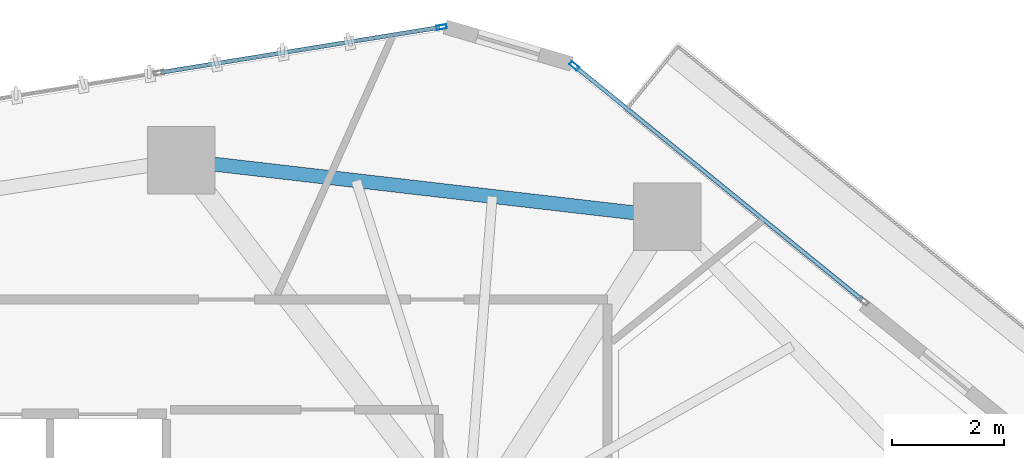
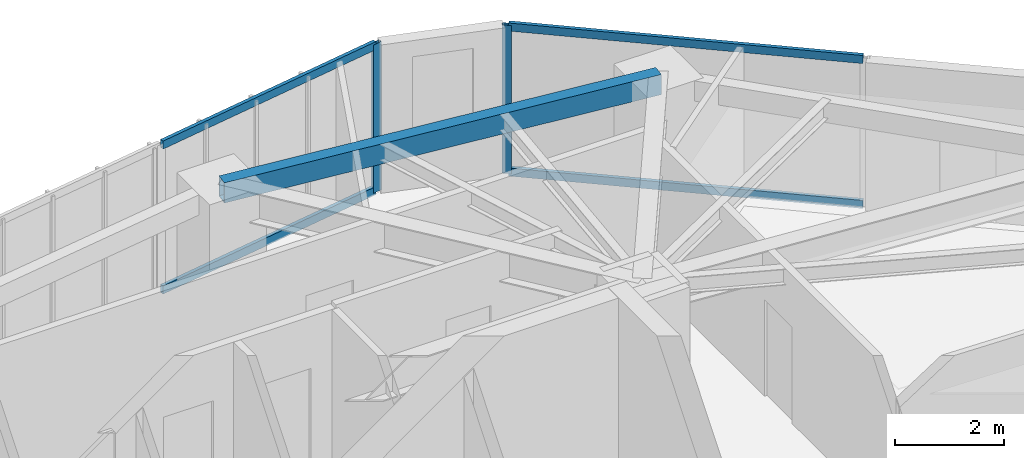
# One storey, part 16 of 23: 6 members, 1 beam, 2 elements without a shape of their own.
"""IFC4 building model written with IfcOpenShell, lengths in metres."""

from ifc_helpers import new_model, si_unit, direction, frame, origin, origin_2d, place, context, subcontext, project, spatial, hollow_rectangle, extrude, source, transform, mapped, material, layer, layer_set, material_profile, profile_set, type_object, type_shapes, element, aggregate, save


model = new_model("IFC4")

# Units and contexts
model_context = context("Model", 3, precision=1e-05, world=origin(), true_north=direction((0.0, 1.0)))
body_context = subcontext(model_context, "Body", "Model", "MODEL_VIEW")
ifc_project = project(units=[si_unit("LENGTHUNIT", "METRE"), si_unit("AREAUNIT", "SQUARE_METRE"), si_unit("VOLUMEUNIT", "CUBIC_METRE"), si_unit("PLANEANGLEUNIT", "RADIAN"), si_unit("MASSUNIT", "GRAM", prefix="KILO")], contexts=[model_context])

# Site, building, storey
site_placement = place(None, origin())
site = spatial("IfcSite", under=ifc_project, at=site_placement, CompositionType="ELEMENT")
building_placement = place(site_placement, origin())
building = spatial("IfcBuilding", under=site, at=building_placement, Name="Talar Marvaseh", CompositionType="ELEMENT")
storey_placement = place(building_placement, frame((0.0, 0.0, 118.199951171875)))
storey = spatial("IfcBuildingStorey", under=building, at=storey_placement, Name="L30", CompositionType="ELEMENT", Elevation=118.199951171875)

# Beam
ifc_material_1 = material(Name="Steel S355", Category="steel")
ifc_material_profile_1 = material_profile(ifc_material_1, hollow_rectangle(XDim=0.25, YDim=0.449951171875, WallThickness=0.01611328125, at=origin_2d()), Name="RHS450x250x16")
ifc_profile_set_1 = profile_set([ifc_material_profile_1], Name="Steel S355")
beam_type = type_object("IfcBeamType", Name="Zone 2 Perimeter Spandrel Beam RHS450x250x16", PredefinedType="SPANDREL", material=ifc_profile_set_1)
beam_placement = place(storey_placement, frame((28.221923828125, 43.471923828125, 3.0849609375), z_axis=(0.993361914569, -0.115030894474, 0.0), x_axis=(0.115030894474, 0.993361914569, 0.0)))
element("IfcBeam", 1, at=beam_placement, inside=storey, type_object=beam_type, Name="L30 Zone 2 Perimeter Spandrel Beam RHS450x250x16", PredefinedType="SPANDREL", context=body_context, shape_type="SweptSolid", body=[
    extrude(hollow_rectangle(XDim=0.25, YDim=0.449951171875, WallThickness=0.01611328125, at=origin_2d()), origin(), (0.0, 0.0, 1.0), 8.701904296875),
])

# Curtain wall, member
ifc_material_2 = material(Name="Architectural Aluminium", Category="aluminium")
ifc_layer = layer(ifc_material_2, 0.199951171875)
ifc_layer_set = layer_set([ifc_layer], Name="Architectural Aluminium")
curtain_wall_type = type_object("IfcCurtainWallType", Name="Unitised Acoustic Library Curtain Wall Z2", PredefinedType="NOTDEFINED", material=ifc_layer_set)
curtain_wall_1_placement = place(storey_placement, origin())
curtain_wall_1 = element("IfcCurtainWall", 2, at=curtain_wall_1_placement, inside=storey, type_object=curtain_wall_type, Name="L30 Unitised Acoustic Library Curtain Wall Z2", PredefinedType="NOTDEFINED")
ifc_material_profile_2 = material_profile(ifc_material_2, hollow_rectangle(XDim=0.074951171875, YDim=0.179931640625, WallThickness=0.0048828125, at=origin_2d()), Name="RHS180x75x5")
ifc_profile_set_2 = profile_set([ifc_material_profile_2], Name="Architectural Aluminium")
member_type_1 = type_object("IfcMemberType", Name="Unitised Curtain Wall Standard Mullion RHS180x75x5", PredefinedType="MULLION", material=ifc_profile_set_2)
shared_shape_1 = source(origin(), body_context, "Body", "SweptSolid", [
    extrude(hollow_rectangle(XDim=0.074951171875, YDim=0.179931640625, WallThickness=0.0048828125, at=origin_2d()), origin(), (0.0, 0.0, 1.0), 3.31005859375),
])
type_shapes(member_type_1, [shared_shape_1])
member_1_placement = place(storey_placement, frame((32.8525390625, 45.840576171875, 0.0), z_axis=(0.0, 0.0, 1.0), x_axis=(-0.159570117963, 0.987186597079, 0.0)))
member_1 = element("IfcMember", 3, at=member_1_placement, type_object=member_type_1, Name="CW-Z2 mullion 4", PredefinedType="MULLION", context=body_context, shape_type="MappedRepresentation", body=[
    mapped(shared_shape_1, transform((0.0, 0.0, 0.0), x_axis=(1.0, 0.0, 0.0), y_axis=(0.0, 1.0, 0.0), z_axis=(0.0, 0.0, 1.0), scale=1.0)),
])

curtain_wall_2_placement = place(storey_placement, origin())
curtain_wall_2 = element("IfcCurtainWall", 4, at=curtain_wall_2_placement, inside=storey, type_object=curtain_wall_type, Name="L30 Unitised Acoustic Library Curtain Wall Z2", PredefinedType="NOTDEFINED")
member_2_placement = place(storey_placement, frame((35.2119140625, 45.150390625, 0.0), z_axis=(0.0, 0.0, 1.0), x_axis=(0.630624629818, 0.776087995183, 0.0)))
member_2 = element("IfcMember", 5, at=member_2_placement, type_object=member_type_1, Name="CW-Z2 mullion 1", PredefinedType="MULLION", context=body_context, shape_type="MappedRepresentation", body=[
    mapped(shared_shape_1, transform((0.0, 0.0, 0.0), x_axis=(1.0, 0.0, 0.0), y_axis=(0.0, 1.0, 0.0), z_axis=(0.0, 0.0, 1.0), scale=1.0)),
])

# Member
ifc_material_profile_3 = material_profile(ifc_material_2, hollow_rectangle(XDim=0.074951171875, YDim=0.179931640625, WallThickness=0.0048828125, at=origin_2d()), Name="RHS180x75x5")
ifc_profile_set_3 = profile_set([ifc_material_profile_3], Name="Architectural Aluminium")
member_type_2 = type_object("IfcMemberType", Name="Unitised Curtain Wall Transom RHS180x75x5", PredefinedType="USERDEFINED", material=ifc_profile_set_3)
shared_shape_2 = source(origin(), body_context, "Body", "SweptSolid", [
    extrude(hollow_rectangle(XDim=0.074951171875, YDim=0.179931640625, WallThickness=0.0048828125, at=origin_2d()), origin(), (0.0, 0.0, 1.0), 5.017333984375),
])
member_3_placement = place(storey_placement, frame((27.8623046875, 45.033935546875, 0.03759765625), z_axis=(0.987181833278, 0.15959958661, 0.0), x_axis=(-0.15959958661, 0.987181833278, 0.0)))
member_3 = element("IfcMember", 6, at=member_3_placement, type_object=member_type_2, Name="CW-Z2 transom 3.1", ObjectType="TRANSOM", PredefinedType="USERDEFINED", context=body_context, shape_type="MappedRepresentation", body=[
    mapped(shared_shape_2, transform((0.0, 0.0, 0.0), x_axis=(1.0, 0.0, 0.0), y_axis=(0.0, 1.0, 0.0), z_axis=(0.0, 0.0, 1.0), scale=1.0)),
])

member_4_placement = place(storey_placement, frame((27.8623046875, 45.033935546875, 3.2724609375), z_axis=(0.987181833278, 0.15959958661, 0.0), x_axis=(-0.15959958661, 0.987181833278, 0.0)))
member_4 = element("IfcMember", 7, at=member_4_placement, type_object=member_type_2, Name="CW-Z2 transom 3.2", ObjectType="TRANSOM", PredefinedType="USERDEFINED", context=body_context, shape_type="MappedRepresentation", body=[
    mapped(shared_shape_2, transform((0.0, 0.0, 0.0), x_axis=(1.0, 0.0, 0.0), y_axis=(0.0, 1.0, 0.0), z_axis=(0.0, 0.0, 1.0), scale=1.0)),
])

aggregate(curtain_wall_1, [member_1, member_3, member_4])

shared_shape_3 = source(origin(), body_context, "Body", "SweptSolid", [
    extrude(hollow_rectangle(XDim=0.074951171875, YDim=0.179931640625, WallThickness=0.0048828125, at=origin_2d()), origin(), (0.0, 0.0, 1.0), 6.5546875),
])
type_shapes(member_type_2, [shared_shape_2, shared_shape_3])
member_5_placement = place(storey_placement, frame((35.240966796875, 45.126708984375, 0.03759765625), z_axis=(0.776082098015, -0.63063188719, 0.0), x_axis=(0.63063188719, 0.776082098015, 0.0)))
member_5 = element("IfcMember", 8, at=member_5_placement, type_object=member_type_2, Name="CW-Z2 transom 1.1", ObjectType="TRANSOM", PredefinedType="USERDEFINED", context=body_context, shape_type="MappedRepresentation", body=[
    mapped(shared_shape_3, transform((0.0, 0.0, 0.0), x_axis=(1.0, 0.0, 0.0), y_axis=(0.0, 1.0, 0.0), z_axis=(0.0, 0.0, 1.0), scale=1.0)),
])

member_6_placement = place(storey_placement, frame((35.240966796875, 45.126708984375, 3.2724609375), z_axis=(0.776082098015, -0.63063188719, 0.0), x_axis=(0.63063188719, 0.776082098015, 0.0)))
member_6 = element("IfcMember", 9, at=member_6_placement, type_object=member_type_2, Name="CW-Z2 transom 1.2", ObjectType="TRANSOM", PredefinedType="USERDEFINED", context=body_context, shape_type="MappedRepresentation", body=[
    mapped(shared_shape_3, transform((0.0, 0.0, 0.0), x_axis=(1.0, 0.0, 0.0), y_axis=(0.0, 1.0, 0.0), z_axis=(0.0, 0.0, 1.0), scale=1.0)),
])

aggregate(curtain_wall_2, [member_2, member_5, member_6])

save(model, "model.ifc")
